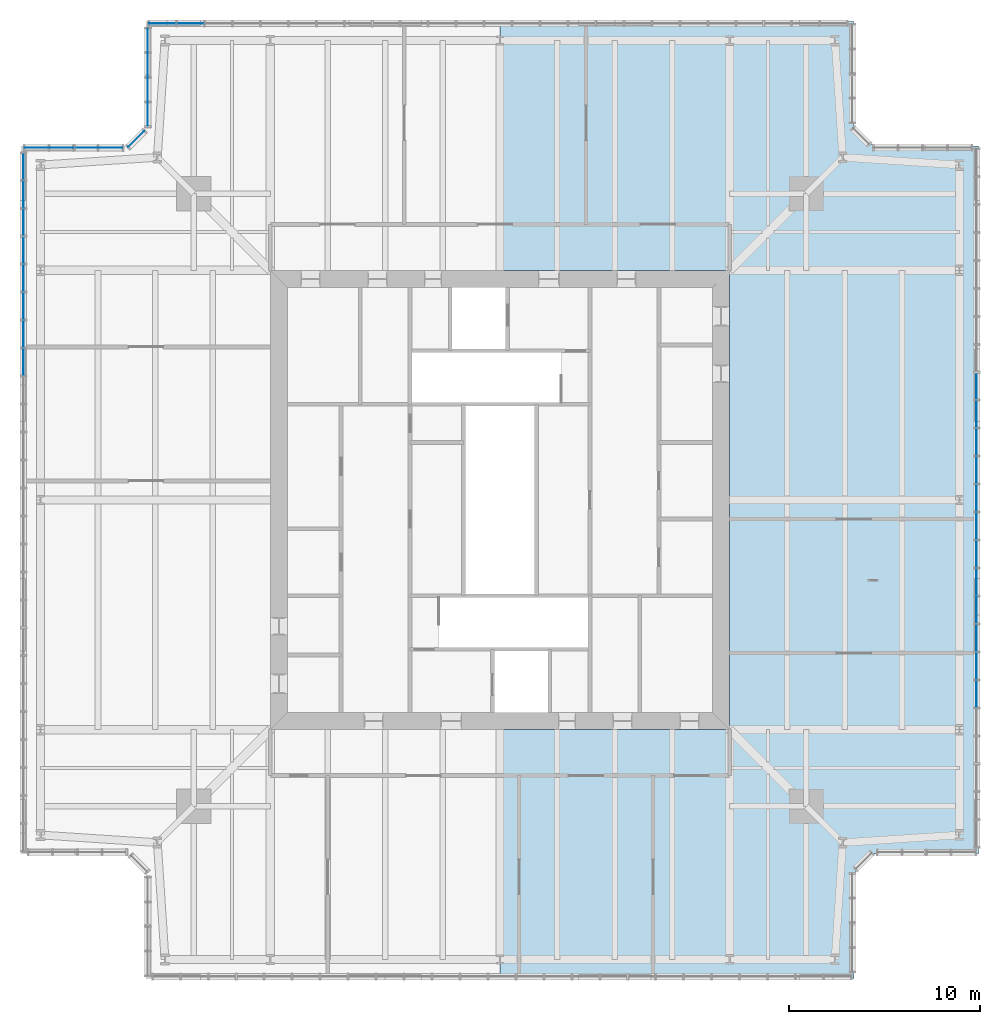
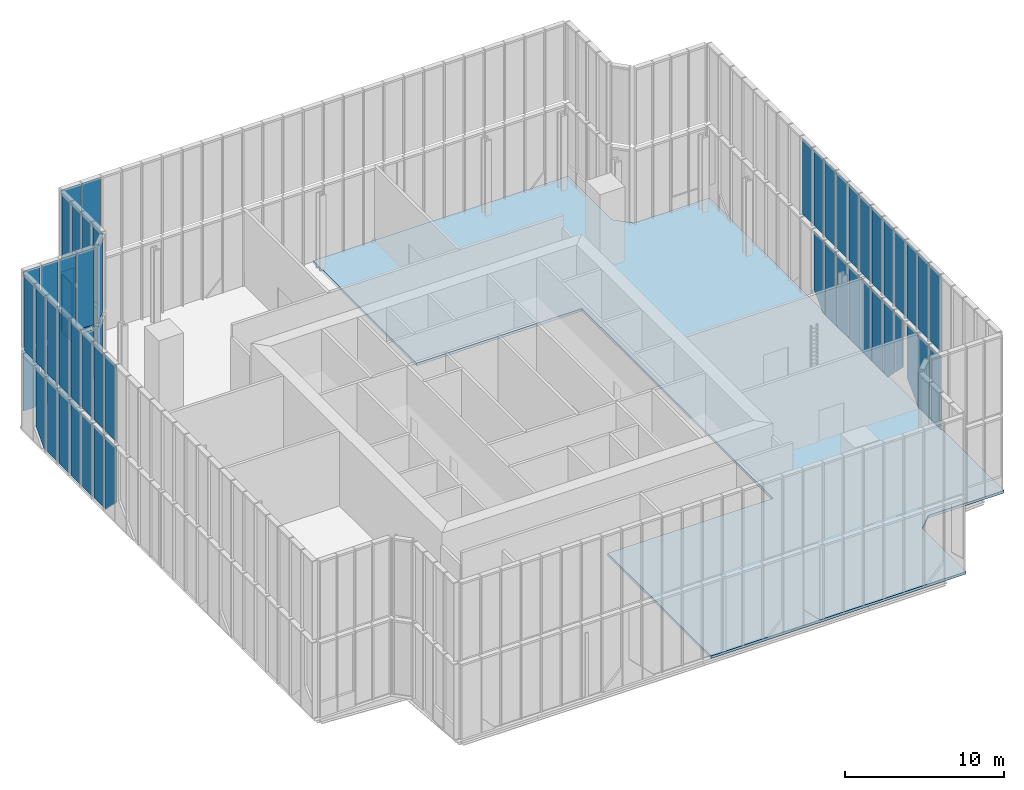
# One storey, part 15 of 25: 60 plates, 1 slab, 12 elements without a shape of their own.
"""IFC4 building model written with IfcOpenShell, lengths in metres."""

from ifc_helpers import new_model, si_unit, direction, frame, origin, origin_2d, place, context, subcontext, project, spatial, polyline, rectangle, outline, extrude, material, layer, layer_set, type_object, element, aggregate, save


model = new_model("IFC4")

# Units and contexts
model_context = context("Model", 3, precision=1e-05, world=origin(), true_north=direction((0.0, 1.0)))
body_context = subcontext(model_context, "Body", "Model", "MODEL_VIEW")
ifc_project = project(units=[si_unit("LENGTHUNIT", "METRE"), si_unit("AREAUNIT", "SQUARE_METRE"), si_unit("VOLUMEUNIT", "CUBIC_METRE"), si_unit("PLANEANGLEUNIT", "RADIAN"), si_unit("MASSUNIT", "GRAM", prefix="KILO")], contexts=[model_context])

# Site, building, storey
site_placement = place(None, origin())
site = spatial("IfcSite", under=ifc_project, at=site_placement, CompositionType="ELEMENT")
building_placement = place(site_placement, origin())
building = spatial("IfcBuilding", under=site, at=building_placement, Name="Fenwick Lantern Interchange", CompositionType="ELEMENT")
storey_placement = place(building_placement, frame((0.0, 0.0, 307.800048828125)))
storey = spatial("IfcBuildingStorey", under=building, at=storey_placement, Name="L74", CompositionType="ELEMENT", Elevation=307.800048828125)

# Slab
ifc_material_1 = material(Name="Concrete f'c 35 MPa", Category="concrete")
ifc_layer_1 = layer(ifc_material_1, 0.199951171875)
ifc_layer_set_1 = layer_set([ifc_layer_1], Name="Concrete f'c 35 MPa")
slab_type = type_object("IfcSlabType", Name="FLOOR SLAB 200", PredefinedType="FLOOR", material=ifc_layer_set_1)
slab_placement = place(storey_placement, frame((0.0, 0.0, -0.199951171875)))
element("IfcSlab", 1, at=slab_placement, inside=storey, type_object=slab_type, Name="L74/SLAB/FE", PredefinedType="FLOOR", context=body_context, shape_type="SweptSolid", body=[
    extrude(outline(polyline([(43.5, 50.0), (43.5, 44.5), (44.5, 43.5), (50.0, 43.5), (50.0, 6.5), (44.5, 6.5), (43.5, 5.5), (43.5, 0.0), (25.0, 0.0), (25.0, 13.0), (37.0, 13.0), (37.0, 37.0), (25.0, 37.0), (25.0, 50.0), (43.5, 50.0)])), origin(), (0.0, 0.0, 1.0), 0.199951171875),
])

# Curtain wall, plates
ifc_material_2 = material(Name="Aluminium curtain wall frame", Category="aluminium")
curtain_wall_type = type_object("IfcCurtainWallType", Name="LANTERN GLAZING", PredefinedType="USERDEFINED", material=ifc_material_2)
curtain_wall_1_placement = place(storey_placement, origin())
curtain_wall_1 = element("IfcCurtainWall", 2, at=curtain_wall_1_placement, inside=storey, type_object=curtain_wall_type, Name="Lantern glazing 05", ObjectType="LANTERN GLAZING", PredefinedType="USERDEFINED")
ifc_material_3 = material(Name="Lantern glass, fritted laminated single glazing", Category="glass")
ifc_layer_2 = layer(ifc_material_3, 0.02197265625)
ifc_layer_set_2 = layer_set([ifc_layer_2], Name="LANTERN GLAZING PANEL 22")
plate_type = type_object("IfcPlateType", Name="LANTERN GLAZING PANEL 22", PredefinedType="CURTAIN_PANEL", material=ifc_layer_set_2)
plate_1_placement = place(storey_placement, frame((49.89990234375, 14.87451171875, 0.0), z_axis=(0.0, 0.0, 1.0), x_axis=(0.0, 1.0, 0.0)))
plate_1 = element("IfcPlate", 3, at=plate_1_placement, type_object=plate_type, Name="L74/CW/05/P05", PredefinedType="CURTAIN_PANEL", context=body_context, shape_type="SweptSolid", body=[
    extrude(rectangle(XDim=1.380859375, YDim=0.02197265625, at=origin_2d()), origin(), (0.0, 0.0, 1.0), 5.610107421875),
])
plate_2_placement = place(storey_placement, frame((49.89990234375, 16.335205078125, 0.0), z_axis=(0.0, 0.0, 1.0), x_axis=(0.0, 1.0, 0.0)))
plate_2 = element("IfcPlate", 4, at=plate_2_placement, type_object=plate_type, Name="L74/CW/05/P06", PredefinedType="CURTAIN_PANEL", context=body_context, shape_type="SweptSolid", body=[
    extrude(rectangle(XDim=1.380859375, YDim=0.02197265625, at=origin_2d()), origin(), (0.0, 0.0, 1.0), 5.610107421875),
])
plate_3_placement = place(storey_placement, frame((49.89990234375, 6.60009765625, 0.001220703125), z_axis=(0.0, 0.0, 1.0), x_axis=(0.0, 1.0, 0.0)))
plate_3 = element("IfcPlate", 5, at=plate_3_placement, type_object=plate_type, Name="L74/CW/05/P07a", PredefinedType="CURTAIN_PANEL", context=body_context, shape_type="SweptSolid", body=[
    extrude(outline(polyline([(10.505615234375, 0.0), (11.886474609375, 1.380615234375), (11.886474609375, 5.608642578125), (10.505615234375, 5.608642578125), (10.505615234375, 0.0)])), frame((0.0, 0.010986328125, 0.0), z_axis=(0.0, -1.0, 0.0), x_axis=(1.0, 0.0, 0.0)), (0.0, 0.0, 1.0), 0.02197265625),
])
plate_4_placement = place(storey_placement, frame((49.89990234375, 6.60009765625, 0.9482421875), z_axis=(0.0, 0.0, 1.0), x_axis=(0.0, 1.0, 0.0)))
plate_4 = element("IfcPlate", 6, at=plate_4_placement, type_object=plate_type, Name="L74/CW/05/P08a", PredefinedType="CURTAIN_PANEL", context=body_context, shape_type="SweptSolid", body=[
    extrude(outline(polyline([(13.34716796875, 0.0), (13.34716796875, 4.66162109375), (12.39990234375, 4.66162109375), (12.39990234375, 0.947265625), (13.34716796875, 0.0)])), frame((0.0, 0.010986328125, 0.0), z_axis=(0.0, -1.0, 0.0), x_axis=(1.0, 0.0, 0.0)), (0.0, 0.0, 1.0), 0.02197265625),
])
plate_5_placement = place(storey_placement, frame((49.89990234375, 6.60009765625, 0.0), z_axis=(0.0, 0.0, 1.0), x_axis=(0.0, 1.0, 0.0)))
plate_5 = element("IfcPlate", 7, at=plate_5_placement, type_object=plate_type, Name="L74/CW/05/P09a", PredefinedType="CURTAIN_PANEL", context=body_context, shape_type="SweptSolid", body=[
    extrude(outline(polyline([(14.295654296875, 0.0), (14.80810546875, 0.0), (14.80810546875, 5.60986328125), (13.42724609375, 5.60986328125), (13.42724609375, 0.868408203125), (14.295654296875, 0.0)])), frame((0.0, 0.010986328125, 0.0), z_axis=(0.0, -1.0, 0.0), x_axis=(1.0, 0.0, 0.0)), (0.0, 0.0, 1.0), 0.02197265625),
])
plate_6_placement = place(storey_placement, frame((49.89990234375, 22.178466796875, 0.0), z_axis=(0.0, 0.0, 1.0), x_axis=(0.0, 1.0, 0.0)))
plate_6 = element("IfcPlate", 8, at=plate_6_placement, type_object=plate_type, Name="L74/CW/05/P10", PredefinedType="CURTAIN_PANEL", context=body_context, shape_type="SweptSolid", body=[
    extrude(rectangle(XDim=1.380859375, YDim=0.02197265625, at=origin_2d()), origin(), (0.0, 0.0, 1.0), 5.610107421875),
])
plate_7_placement = place(storey_placement, frame((49.89990234375, 23.63916015625, 0.0), z_axis=(0.0, 0.0, 1.0), x_axis=(0.0, 1.0, 0.0)))
plate_7 = element("IfcPlate", 9, at=plate_7_placement, type_object=plate_type, Name="L74/CW/05/P11", PredefinedType="CURTAIN_PANEL", context=body_context, shape_type="SweptSolid", body=[
    extrude(rectangle(XDim=1.380859375, YDim=0.02197265625, at=origin_2d()), origin(), (0.0, 0.0, 1.0), 5.610107421875),
])
plate_8_placement = place(storey_placement, frame((49.89990234375, 25.10009765625, 0.0), z_axis=(0.0, 0.0, 1.0), x_axis=(0.0, 1.0, 0.0)))
plate_8 = element("IfcPlate", 10, at=plate_8_placement, type_object=plate_type, Name="L74/CW/05/P12", PredefinedType="CURTAIN_PANEL", context=body_context, shape_type="SweptSolid", body=[
    extrude(rectangle(XDim=1.380859375, YDim=0.02197265625, at=origin_2d()), origin(), (0.0, 0.0, 1.0), 5.610107421875),
])
plate_9_placement = place(storey_placement, frame((49.89990234375, 26.560791015625, 0.0), z_axis=(0.0, 0.0, 1.0), x_axis=(0.0, 1.0, 0.0)))
plate_9 = element("IfcPlate", 11, at=plate_9_placement, type_object=plate_type, Name="L74/CW/05/P13", PredefinedType="CURTAIN_PANEL", context=body_context, shape_type="SweptSolid", body=[
    extrude(rectangle(XDim=1.380859375, YDim=0.02197265625, at=origin_2d()), origin(), (0.0, 0.0, 1.0), 5.610107421875),
])
plate_10_placement = place(storey_placement, frame((49.89990234375, 28.021484375, 0.0), z_axis=(0.0, 0.0, 1.0), x_axis=(0.0, 1.0, 0.0)))
plate_10 = element("IfcPlate", 12, at=plate_10_placement, type_object=plate_type, Name="L74/CW/05/P14", PredefinedType="CURTAIN_PANEL", context=body_context, shape_type="SweptSolid", body=[
    extrude(rectangle(XDim=1.380859375, YDim=0.02197265625, at=origin_2d()), origin(), (0.0, 0.0, 1.0), 5.610107421875),
])
plate_11_placement = place(storey_placement, frame((49.89990234375, 6.60009765625, 0.0), z_axis=(0.0, 0.0, 1.0), x_axis=(0.0, 1.0, 0.0)))
plate_11 = element("IfcPlate", 13, at=plate_11_placement, type_object=plate_type, Name="L74/CW/05/P15a", PredefinedType="CURTAIN_PANEL", context=body_context, shape_type="SweptSolid", body=[
    extrude(outline(polyline([(22.19189453125, 0.0), (22.50439453125, 0.0), (23.57275390625, 1.068359375), (23.57275390625, 5.60986328125), (22.19189453125, 5.60986328125), (22.19189453125, 0.0)])), frame((0.0, 0.010986328125, 0.0), z_axis=(0.0, -1.0, 0.0), x_axis=(1.0, 0.0, 0.0)), (0.0, 0.0, 1.0), 0.02197265625),
])
aggregate(curtain_wall_1, [plate_1, plate_2, plate_3, plate_4, plate_5, plate_6, plate_7, plate_8, plate_9, plate_10, plate_11])

curtain_wall_2_placement = place(storey_placement, origin())
curtain_wall_2 = element("IfcCurtainWall", 14, at=curtain_wall_2_placement, inside=storey, type_object=curtain_wall_type, Name="Lantern glazing 09", ObjectType="LANTERN GLAZING", PredefinedType="USERDEFINED")
plate_12_placement = place(storey_placement, frame((43.39990234375, 49.89990234375, 0.0), z_axis=(0.0, 0.0, 1.0), x_axis=(-1.0, 0.0, 0.0)))
plate_12 = element("IfcPlate", 15, at=plate_12_placement, type_object=plate_type, Name="L74/CW/09/P23a", PredefinedType="CURTAIN_PANEL", context=body_context, shape_type="SweptSolid", body=[
    extrude(outline(polyline([(33.87841796875, 0.0), (34.053955078125, 0.0), (35.25927734375, 1.314697265625), (35.25927734375, 5.60986328125), (33.87841796875, 5.60986328125), (33.87841796875, 0.0)])), frame((0.0, 0.010986328125, 0.0), z_axis=(0.0, -1.0, 0.0), x_axis=(1.0, 0.0, 0.0)), (0.0, 0.0, 1.0), 0.02197265625),
])
plate_13_placement = place(storey_placement, frame((43.39990234375, 49.89990234375, 1.0400390625), z_axis=(0.0, 0.0, 1.0), x_axis=(-1.0, 0.0, 0.0)))
plate_13 = element("IfcPlate", 16, at=plate_13_placement, type_object=plate_type, Name="L74/CW/09/P24a", PredefinedType="CURTAIN_PANEL", context=body_context, shape_type="SweptSolid", body=[
    extrude(outline(polyline([(36.719970703125, 0.0), (36.719970703125, 4.56982421875), (35.789306640625, 4.56982421875), (35.789306640625, 0.85302734375), (36.719970703125, 0.0)])), frame((0.0, 0.010986328125, 0.0), z_axis=(0.0, -1.0, 0.0), x_axis=(1.0, 0.0, 0.0)), (0.0, 0.0, 1.0), 0.02197265625),
])
aggregate(curtain_wall_2, [plate_12, plate_13])

curtain_wall_3_placement = place(storey_placement, origin())
curtain_wall_3 = element("IfcCurtainWall", 17, at=curtain_wall_3_placement, inside=storey, type_object=curtain_wall_type, Name="Lantern glazing 10", ObjectType="LANTERN GLAZING", PredefinedType="USERDEFINED")
plate_14_placement = place(storey_placement, frame((6.60009765625, 49.89990234375, 1.14990234375), z_axis=(0.0, 0.0, 1.0), x_axis=(0.0, -1.0, 0.0)))
plate_14 = element("IfcPlate", 18, at=plate_14_placement, type_object=plate_type, Name="L74/CW/10/P00a", PredefinedType="CURTAIN_PANEL", context=body_context, shape_type="SweptSolid", body=[
    extrude(outline(polyline([(0.280029296875, 0.0), (1.490234375, 0.0), (1.490234375, 4.4599609375), (0.280029296875, 4.4599609375), (0.280029296875, 0.0)])), frame((0.0, 0.010986328125, 0.0), z_axis=(0.0, -1.0, 0.0), x_axis=(1.0, 0.0, 0.0)), (0.0, 0.0, 1.0), 0.02197265625),
])
plate_15_placement = place(storey_placement, frame((6.60009765625, 49.89990234375, 1.14990234375), z_axis=(0.0, 0.0, 1.0), x_axis=(0.0, -1.0, 0.0)))
plate_15 = element("IfcPlate", 19, at=plate_15_placement, type_object=plate_type, Name="L74/CW/10/P01a", PredefinedType="CURTAIN_PANEL", context=body_context, shape_type="SweptSolid", body=[
    extrude(outline(polyline([(1.5703125, 0.0), (2.699951171875, 0.0), (2.699951171875, 4.4599609375), (1.5703125, 4.4599609375), (1.5703125, 0.0)])), frame((0.0, 0.010986328125, 0.0), z_axis=(0.0, -1.0, 0.0), x_axis=(1.0, 0.0, 0.0)), (0.0, 0.0, 1.0), 0.02197265625),
])
plate_16_placement = place(storey_placement, frame((6.60009765625, 46.43408203125, 0.0), z_axis=(0.0, 0.0, 1.0), x_axis=(0.0, -1.0, 0.0)))
plate_16 = element("IfcPlate", 20, at=plate_16_placement, type_object=plate_type, Name="L74/CW/10/P02", PredefinedType="CURTAIN_PANEL", context=body_context, shape_type="SweptSolid", body=[
    extrude(rectangle(XDim=1.21044921875, YDim=0.02197265625, at=origin_2d()), origin(), (0.0, 0.0, 1.0), 5.610107421875),
])
plate_17_placement = place(storey_placement, frame((6.60009765625, 45.143798828125, 0.0), z_axis=(0.0, 0.0, 1.0), x_axis=(0.0, -1.0, 0.0)))
plate_17 = element("IfcPlate", 21, at=plate_17_placement, type_object=plate_type, Name="L74/CW/10/P03", PredefinedType="CURTAIN_PANEL", context=body_context, shape_type="SweptSolid", body=[
    extrude(rectangle(XDim=1.21044921875, YDim=0.02197265625, at=origin_2d()), origin(), (0.0, 0.0, 1.0), 5.610107421875),
])
aggregate(curtain_wall_3, [plate_14, plate_15, plate_16, plate_17])

# Curtain wall, plate
curtain_wall_4_placement = place(storey_placement, origin())
curtain_wall_4 = element("IfcCurtainWall", 22, at=curtain_wall_4_placement, inside=storey, type_object=curtain_wall_type, Name="Lantern glazing 11", ObjectType="LANTERN GLAZING", PredefinedType="USERDEFINED")
plate_18_placement = place(storey_placement, frame((6.0, 43.858642578125, 0.0), z_axis=(0.0, 0.0, 1.0), x_axis=(-0.707106781187, -0.707106781187, 0.0)))
plate_18 = element("IfcPlate", 23, at=plate_18_placement, type_object=plate_type, Name="L74/CW/11/P00", PredefinedType="CURTAIN_PANEL", context=body_context, shape_type="SweptSolid", body=[
    extrude(rectangle(XDim=1.136962890625, YDim=0.02197265625, at=origin_2d()), origin(), (0.0, 0.0, 1.0), 5.610107421875),
])
aggregate(curtain_wall_4, [plate_18])

# Curtain wall, plates
curtain_wall_5_placement = place(storey_placement, origin())
curtain_wall_5 = element("IfcCurtainWall", 24, at=curtain_wall_5_placement, inside=storey, type_object=curtain_wall_type, Name="Lantern glazing 12", ObjectType="LANTERN GLAZING", PredefinedType="USERDEFINED")
plate_19_placement = place(storey_placement, frame((4.65625, 43.39990234375, 0.0), z_axis=(0.0, 0.0, 1.0), x_axis=(-1.0, 0.0, 0.0)))
plate_19 = element("IfcPlate", 25, at=plate_19_placement, type_object=plate_type, Name="L74/CW/12/P00", PredefinedType="CURTAIN_PANEL", context=body_context, shape_type="SweptSolid", body=[
    extrude(rectangle(XDim=1.21044921875, YDim=0.02197265625, at=origin_2d()), origin(), (0.0, 0.0, 1.0), 5.610107421875),
])
plate_20_placement = place(storey_placement, frame((5.54150390625, 43.39990234375, 0.0), z_axis=(0.0, 0.0, 1.0), x_axis=(-1.0, 0.0, 0.0)))
plate_20 = element("IfcPlate", 26, at=plate_20_placement, type_object=plate_type, Name="L74/CW/12/P01a", PredefinedType="CURTAIN_PANEL", context=body_context, shape_type="SweptSolid", body=[
    extrude(outline(polyline([(1.5703125, 0.0), (2.741455078125, 0.0), (2.741455078125, 5.60986328125), (1.5703125, 5.60986328125), (1.5703125, 0.0)])), frame((0.0, 0.010986328125, 0.0), z_axis=(0.0, -1.0, 0.0), x_axis=(1.0, 0.0, 0.0)), (0.0, 0.0, 1.0), 0.02197265625),
])
plate_21_placement = place(storey_placement, frame((5.54150390625, 43.39990234375, 1.14990234375), z_axis=(0.0, 0.0, 1.0), x_axis=(-1.0, 0.0, 0.0)))
plate_21 = element("IfcPlate", 27, at=plate_21_placement, type_object=plate_type, Name="L74/CW/12/P02a", PredefinedType="CURTAIN_PANEL", context=body_context, shape_type="SweptSolid", body=[
    extrude(outline(polyline([(2.860595703125, 0.0), (4.071044921875, 0.0), (4.071044921875, 4.4599609375), (2.860595703125, 4.4599609375), (2.860595703125, 0.0)])), frame((0.0, 0.010986328125, 0.0), z_axis=(0.0, -1.0, 0.0), x_axis=(1.0, 0.0, 0.0)), (0.0, 0.0, 1.0), 0.02197265625),
])
plate_22_placement = place(storey_placement, frame((5.54150390625, 43.39990234375, 1.14990234375), z_axis=(0.0, 0.0, 1.0), x_axis=(-1.0, 0.0, 0.0)))
plate_22 = element("IfcPlate", 28, at=plate_22_placement, type_object=plate_type, Name="L74/CW/12/P03a", PredefinedType="CURTAIN_PANEL", context=body_context, shape_type="SweptSolid", body=[
    extrude(outline(polyline([(4.151123046875, 0.0), (5.361328125, 0.0), (5.361328125, 4.4599609375), (4.151123046875, 4.4599609375), (4.151123046875, 0.0)])), frame((0.0, 0.010986328125, 0.0), z_axis=(0.0, -1.0, 0.0), x_axis=(1.0, 0.0, 0.0)), (0.0, 0.0, 1.0), 0.02197265625),
])
aggregate(curtain_wall_5, [plate_19, plate_20, plate_21, plate_22])

curtain_wall_6_placement = place(storey_placement, origin())
curtain_wall_6 = element("IfcCurtainWall", 29, at=curtain_wall_6_placement, inside=storey, type_object=curtain_wall_type, Name="Lantern glazing 13", ObjectType="LANTERN GLAZING", PredefinedType="USERDEFINED")
plate_23_placement = place(storey_placement, frame((0.10009765625, 43.39990234375, 0.0), z_axis=(0.0, 0.0, 1.0), x_axis=(0.0, -1.0, 0.0)))
plate_23 = element("IfcPlate", 30, at=plate_23_placement, type_object=plate_type, Name="L74/CW/13/P01a", PredefinedType="CURTAIN_PANEL", context=body_context, shape_type="SweptSolid", body=[
    extrude(outline(polyline([(2.74609375, 0.0), (3.12158203125, 0.0), (3.12158203125, 5.60986328125), (1.74072265625, 5.60986328125), (1.74072265625, 1.096435546875), (2.74609375, 0.0)])), frame((0.0, 0.010986328125, 0.0), z_axis=(0.0, -1.0, 0.0), x_axis=(1.0, 0.0, 0.0)), (0.0, 0.0, 1.0), 0.02197265625),
])
plate_24_placement = place(storey_placement, frame((0.10009765625, 39.508056640625, 0.0), z_axis=(0.0, 0.0, 1.0), x_axis=(0.0, -1.0, 0.0)))
plate_24 = element("IfcPlate", 31, at=plate_24_placement, type_object=plate_type, Name="L74/CW/13/P02", PredefinedType="CURTAIN_PANEL", context=body_context, shape_type="SweptSolid", body=[
    extrude(rectangle(XDim=1.380859375, YDim=0.02197265625, at=origin_2d()), origin(), (0.0, 0.0, 1.0), 5.610107421875),
])
plate_25_placement = place(storey_placement, frame((0.10009765625, 38.047119140625, 0.0), z_axis=(0.0, 0.0, 1.0), x_axis=(0.0, -1.0, 0.0)))
plate_25 = element("IfcPlate", 32, at=plate_25_placement, type_object=plate_type, Name="L74/CW/13/P03", PredefinedType="CURTAIN_PANEL", context=body_context, shape_type="SweptSolid", body=[
    extrude(rectangle(XDim=1.380859375, YDim=0.02197265625, at=origin_2d()), origin(), (0.0, 0.0, 1.0), 5.610107421875),
])
plate_26_placement = place(storey_placement, frame((0.10009765625, 36.58642578125, 0.0), z_axis=(0.0, 0.0, 1.0), x_axis=(0.0, -1.0, 0.0)))
plate_26 = element("IfcPlate", 33, at=plate_26_placement, type_object=plate_type, Name="L74/CW/13/P04", PredefinedType="CURTAIN_PANEL", context=body_context, shape_type="SweptSolid", body=[
    extrude(rectangle(XDim=1.380859375, YDim=0.02197265625, at=origin_2d()), origin(), (0.0, 0.0, 1.0), 5.610107421875),
])
plate_27_placement = place(storey_placement, frame((0.10009765625, 35.12548828125, 0.0), z_axis=(0.0, 0.0, 1.0), x_axis=(0.0, -1.0, 0.0)))
plate_27 = element("IfcPlate", 34, at=plate_27_placement, type_object=plate_type, Name="L74/CW/13/P05", PredefinedType="CURTAIN_PANEL", context=body_context, shape_type="SweptSolid", body=[
    extrude(rectangle(XDim=1.380859375, YDim=0.02197265625, at=origin_2d()), origin(), (0.0, 0.0, 1.0), 5.610107421875),
])
plate_28_placement = place(storey_placement, frame((0.10009765625, 33.664794921875, 0.0), z_axis=(0.0, 0.0, 1.0), x_axis=(0.0, -1.0, 0.0)))
plate_28 = element("IfcPlate", 35, at=plate_28_placement, type_object=plate_type, Name="L74/CW/13/P06", PredefinedType="CURTAIN_PANEL", context=body_context, shape_type="SweptSolid", body=[
    extrude(rectangle(XDim=1.380859375, YDim=0.02197265625, at=origin_2d()), origin(), (0.0, 0.0, 1.0), 5.610107421875),
])
plate_29_placement = place(storey_placement, frame((0.10009765625, 43.39990234375, 0.001220703125), z_axis=(0.0, 0.0, 1.0), x_axis=(0.0, -1.0, 0.0)))
plate_29 = element("IfcPlate", 36, at=plate_29_placement, type_object=plate_type, Name="L74/CW/13/P07a", PredefinedType="CURTAIN_PANEL", context=body_context, shape_type="SweptSolid", body=[
    extrude(outline(polyline([(10.505615234375, 0.0), (11.886474609375, 1.380615234375), (11.886474609375, 5.608642578125), (10.505615234375, 5.608642578125), (10.505615234375, 0.0)])), frame((0.0, 0.010986328125, 0.0), z_axis=(0.0, -1.0, 0.0), x_axis=(1.0, 0.0, 0.0)), (0.0, 0.0, 1.0), 0.02197265625),
])
aggregate(curtain_wall_6, [plate_23, plate_24, plate_25, plate_26, plate_27, plate_28, plate_29])

curtain_wall_7_placement = place(storey_placement, origin())
curtain_wall_7 = element("IfcCurtainWall", 37, at=curtain_wall_7_placement, inside=storey, type_object=curtain_wall_type, Name="Lantern glazing 05", ObjectType="LANTERN GLAZING", PredefinedType="USERDEFINED")
plate_30_placement = place(storey_placement, frame((49.89990234375, 14.87451171875, 6.0), z_axis=(0.0, 0.0, 1.0), x_axis=(0.0, 1.0, 0.0)))
plate_30 = element("IfcPlate", 38, at=plate_30_placement, type_object=plate_type, Name="RF/LANTERN/05/P05", PredefinedType="CURTAIN_PANEL", context=body_context, shape_type="SweptSolid", body=[
    extrude(rectangle(XDim=1.380859375, YDim=0.02197265625, at=origin_2d()), origin(), (0.0, 0.0, 1.0), 5.860107421875),
])
plate_31_placement = place(storey_placement, frame((49.89990234375, 16.335205078125, 6.0), z_axis=(0.0, 0.0, 1.0), x_axis=(0.0, 1.0, 0.0)))
plate_31 = element("IfcPlate", 39, at=plate_31_placement, type_object=plate_type, Name="RF/LANTERN/05/P06", PredefinedType="CURTAIN_PANEL", context=body_context, shape_type="SweptSolid", body=[
    extrude(rectangle(XDim=1.380859375, YDim=0.02197265625, at=origin_2d()), origin(), (0.0, 0.0, 1.0), 5.860107421875),
])
plate_32_placement = place(storey_placement, frame((49.89990234375, 17.7958984375, 6.0), z_axis=(0.0, 0.0, 1.0), x_axis=(0.0, 1.0, 0.0)))
plate_32 = element("IfcPlate", 40, at=plate_32_placement, type_object=plate_type, Name="RF/LANTERN/05/P07", PredefinedType="CURTAIN_PANEL", context=body_context, shape_type="SweptSolid", body=[
    extrude(rectangle(XDim=1.380859375, YDim=0.02197265625, at=origin_2d()), origin(), (0.0, 0.0, 1.0), 5.860107421875),
])
plate_33_placement = place(storey_placement, frame((49.89990234375, 19.2568359375, 6.0), z_axis=(0.0, 0.0, 1.0), x_axis=(0.0, 1.0, 0.0)))
plate_33 = element("IfcPlate", 41, at=plate_33_placement, type_object=plate_type, Name="RF/LANTERN/05/P08", PredefinedType="CURTAIN_PANEL", context=body_context, shape_type="SweptSolid", body=[
    extrude(rectangle(XDim=1.380859375, YDim=0.02197265625, at=origin_2d()), origin(), (0.0, 0.0, 1.0), 5.860107421875),
])
plate_34_placement = place(storey_placement, frame((49.89990234375, 20.717529296875, 6.0), z_axis=(0.0, 0.0, 1.0), x_axis=(0.0, 1.0, 0.0)))
plate_34 = element("IfcPlate", 42, at=plate_34_placement, type_object=plate_type, Name="RF/LANTERN/05/P09", PredefinedType="CURTAIN_PANEL", context=body_context, shape_type="SweptSolid", body=[
    extrude(rectangle(XDim=1.380859375, YDim=0.02197265625, at=origin_2d()), origin(), (0.0, 0.0, 1.0), 5.860107421875),
])
plate_35_placement = place(storey_placement, frame((49.89990234375, 22.178466796875, 6.0), z_axis=(0.0, 0.0, 1.0), x_axis=(0.0, 1.0, 0.0)))
plate_35 = element("IfcPlate", 43, at=plate_35_placement, type_object=plate_type, Name="RF/LANTERN/05/P10", PredefinedType="CURTAIN_PANEL", context=body_context, shape_type="SweptSolid", body=[
    extrude(rectangle(XDim=1.380859375, YDim=0.02197265625, at=origin_2d()), origin(), (0.0, 0.0, 1.0), 5.860107421875),
])
plate_36_placement = place(storey_placement, frame((49.89990234375, 23.63916015625, 6.0), z_axis=(0.0, 0.0, 1.0), x_axis=(0.0, 1.0, 0.0)))
plate_36 = element("IfcPlate", 44, at=plate_36_placement, type_object=plate_type, Name="RF/LANTERN/05/P11", PredefinedType="CURTAIN_PANEL", context=body_context, shape_type="SweptSolid", body=[
    extrude(rectangle(XDim=1.380859375, YDim=0.02197265625, at=origin_2d()), origin(), (0.0, 0.0, 1.0), 5.860107421875),
])
plate_37_placement = place(storey_placement, frame((49.89990234375, 25.10009765625, 6.0), z_axis=(0.0, 0.0, 1.0), x_axis=(0.0, 1.0, 0.0)))
plate_37 = element("IfcPlate", 45, at=plate_37_placement, type_object=plate_type, Name="RF/LANTERN/05/P12", PredefinedType="CURTAIN_PANEL", context=body_context, shape_type="SweptSolid", body=[
    extrude(rectangle(XDim=1.380859375, YDim=0.02197265625, at=origin_2d()), origin(), (0.0, 0.0, 1.0), 5.860107421875),
])
plate_38_placement = place(storey_placement, frame((49.89990234375, 26.560791015625, 6.0), z_axis=(0.0, 0.0, 1.0), x_axis=(0.0, 1.0, 0.0)))
plate_38 = element("IfcPlate", 46, at=plate_38_placement, type_object=plate_type, Name="RF/LANTERN/05/P13", PredefinedType="CURTAIN_PANEL", context=body_context, shape_type="SweptSolid", body=[
    extrude(rectangle(XDim=1.380859375, YDim=0.02197265625, at=origin_2d()), origin(), (0.0, 0.0, 1.0), 5.860107421875),
])
plate_39_placement = place(storey_placement, frame((49.89990234375, 28.021484375, 6.0), z_axis=(0.0, 0.0, 1.0), x_axis=(0.0, 1.0, 0.0)))
plate_39 = element("IfcPlate", 47, at=plate_39_placement, type_object=plate_type, Name="RF/LANTERN/05/P14", PredefinedType="CURTAIN_PANEL", context=body_context, shape_type="SweptSolid", body=[
    extrude(rectangle(XDim=1.380859375, YDim=0.02197265625, at=origin_2d()), origin(), (0.0, 0.0, 1.0), 5.860107421875),
])
plate_40_placement = place(storey_placement, frame((49.89990234375, 29.482421875, 6.0), z_axis=(0.0, 0.0, 1.0), x_axis=(0.0, 1.0, 0.0)))
plate_40 = element("IfcPlate", 48, at=plate_40_placement, type_object=plate_type, Name="RF/LANTERN/05/P15", PredefinedType="CURTAIN_PANEL", context=body_context, shape_type="SweptSolid", body=[
    extrude(rectangle(XDim=1.380859375, YDim=0.02197265625, at=origin_2d()), origin(), (0.0, 0.0, 1.0), 5.860107421875),
])
plate_41_placement = place(storey_placement, frame((49.89990234375, 30.943115234375, 6.0), z_axis=(0.0, 0.0, 1.0), x_axis=(0.0, 1.0, 0.0)))
plate_41 = element("IfcPlate", 49, at=plate_41_placement, type_object=plate_type, Name="RF/LANTERN/05/P16", PredefinedType="CURTAIN_PANEL", context=body_context, shape_type="SweptSolid", body=[
    extrude(rectangle(XDim=1.380859375, YDim=0.02197265625, at=origin_2d()), origin(), (0.0, 0.0, 1.0), 5.860107421875),
])
aggregate(curtain_wall_7, [plate_30, plate_31, plate_32, plate_33, plate_34, plate_35, plate_36, plate_37, plate_38, plate_39, plate_40, plate_41])

curtain_wall_8_placement = place(storey_placement, origin())
curtain_wall_8 = element("IfcCurtainWall", 50, at=curtain_wall_8_placement, inside=storey, type_object=curtain_wall_type, Name="Lantern glazing 09", ObjectType="LANTERN GLAZING", PredefinedType="USERDEFINED")
plate_42_placement = place(storey_placement, frame((8.831298828125, 49.89990234375, 6.0), z_axis=(0.0, 0.0, 1.0), x_axis=(-1.0, 0.0, 0.0)))
plate_42 = element("IfcPlate", 51, at=plate_42_placement, type_object=plate_type, Name="RF/LANTERN/09/P23", PredefinedType="CURTAIN_PANEL", context=body_context, shape_type="SweptSolid", body=[
    extrude(rectangle(XDim=1.380859375, YDim=0.02197265625, at=origin_2d()), origin(), (0.0, 0.0, 1.0), 5.860107421875),
])
plate_43_placement = place(storey_placement, frame((7.370361328125, 49.89990234375, 6.0), z_axis=(0.0, 0.0, 1.0), x_axis=(-1.0, 0.0, 0.0)))
plate_43 = element("IfcPlate", 52, at=plate_43_placement, type_object=plate_type, Name="RF/LANTERN/09/P24", PredefinedType="CURTAIN_PANEL", context=body_context, shape_type="SweptSolid", body=[
    extrude(rectangle(XDim=1.380859375, YDim=0.02197265625, at=origin_2d()), origin(), (0.0, 0.0, 1.0), 5.860107421875),
])
aggregate(curtain_wall_8, [plate_42, plate_43])

curtain_wall_9_placement = place(storey_placement, origin())
curtain_wall_9 = element("IfcCurtainWall", 53, at=curtain_wall_9_placement, inside=storey, type_object=curtain_wall_type, Name="Lantern glazing 10", ObjectType="LANTERN GLAZING", PredefinedType="USERDEFINED")
plate_44_placement = place(storey_placement, frame((6.60009765625, 49.014892578125, 6.0), z_axis=(0.0, 0.0, 1.0), x_axis=(0.0, -1.0, 0.0)))
plate_44 = element("IfcPlate", 54, at=plate_44_placement, type_object=plate_type, Name="RF/LANTERN/10/P00", PredefinedType="CURTAIN_PANEL", context=body_context, shape_type="SweptSolid", body=[
    extrude(rectangle(XDim=1.21044921875, YDim=0.02197265625, at=origin_2d()), origin(), (0.0, 0.0, 1.0), 5.860107421875),
])
plate_45_placement = place(storey_placement, frame((6.60009765625, 47.724365234375, 6.0), z_axis=(0.0, 0.0, 1.0), x_axis=(0.0, -1.0, 0.0)))
plate_45 = element("IfcPlate", 55, at=plate_45_placement, type_object=plate_type, Name="RF/LANTERN/10/P01", PredefinedType="CURTAIN_PANEL", context=body_context, shape_type="SweptSolid", body=[
    extrude(rectangle(XDim=1.21044921875, YDim=0.02197265625, at=origin_2d()), origin(), (0.0, 0.0, 1.0), 5.860107421875),
])
plate_46_placement = place(storey_placement, frame((6.60009765625, 46.43408203125, 6.0), z_axis=(0.0, 0.0, 1.0), x_axis=(0.0, -1.0, 0.0)))
plate_46 = element("IfcPlate", 56, at=plate_46_placement, type_object=plate_type, Name="RF/LANTERN/10/P02", PredefinedType="CURTAIN_PANEL", context=body_context, shape_type="SweptSolid", body=[
    extrude(rectangle(XDim=1.21044921875, YDim=0.02197265625, at=origin_2d()), origin(), (0.0, 0.0, 1.0), 5.860107421875),
])
plate_47_placement = place(storey_placement, frame((6.60009765625, 45.143798828125, 6.0), z_axis=(0.0, 0.0, 1.0), x_axis=(0.0, -1.0, 0.0)))
plate_47 = element("IfcPlate", 57, at=plate_47_placement, type_object=plate_type, Name="RF/LANTERN/10/P03", PredefinedType="CURTAIN_PANEL", context=body_context, shape_type="SweptSolid", body=[
    extrude(rectangle(XDim=1.21044921875, YDim=0.02197265625, at=origin_2d()), origin(), (0.0, 0.0, 1.0), 5.860107421875),
])
aggregate(curtain_wall_9, [plate_44, plate_45, plate_46, plate_47])

# Curtain wall, plate
curtain_wall_10_placement = place(storey_placement, origin())
curtain_wall_10 = element("IfcCurtainWall", 58, at=curtain_wall_10_placement, inside=storey, type_object=curtain_wall_type, Name="Lantern glazing 11", ObjectType="LANTERN GLAZING", PredefinedType="USERDEFINED")
plate_48_placement = place(storey_placement, frame((6.0, 43.858642578125, 6.0), z_axis=(0.0, 0.0, 1.0), x_axis=(-0.707106781187, -0.707106781187, 0.0)))
plate_48 = element("IfcPlate", 59, at=plate_48_placement, type_object=plate_type, Name="RF/LANTERN/11/P00", PredefinedType="CURTAIN_PANEL", context=body_context, shape_type="SweptSolid", body=[
    extrude(rectangle(XDim=1.136962890625, YDim=0.02197265625, at=origin_2d()), origin(), (0.0, 0.0, 1.0), 5.860107421875),
])
aggregate(curtain_wall_10, [plate_48])

# Curtain wall, plates
curtain_wall_11_placement = place(storey_placement, origin())
curtain_wall_11 = element("IfcCurtainWall", 60, at=curtain_wall_11_placement, inside=storey, type_object=curtain_wall_type, Name="Lantern glazing 12", ObjectType="LANTERN GLAZING", PredefinedType="USERDEFINED")
plate_49_placement = place(storey_placement, frame((4.65625, 43.39990234375, 6.0), z_axis=(0.0, 0.0, 1.0), x_axis=(-1.0, 0.0, 0.0)))
plate_49 = element("IfcPlate", 61, at=plate_49_placement, type_object=plate_type, Name="RF/LANTERN/12/P00", PredefinedType="CURTAIN_PANEL", context=body_context, shape_type="SweptSolid", body=[
    extrude(rectangle(XDim=1.21044921875, YDim=0.02197265625, at=origin_2d()), origin(), (0.0, 0.0, 1.0), 5.860107421875),
])
plate_50_placement = place(storey_placement, frame((3.365966796875, 43.39990234375, 6.0), z_axis=(0.0, 0.0, 1.0), x_axis=(-1.0, 0.0, 0.0)))
plate_50 = element("IfcPlate", 62, at=plate_50_placement, type_object=plate_type, Name="RF/LANTERN/12/P01", PredefinedType="CURTAIN_PANEL", context=body_context, shape_type="SweptSolid", body=[
    extrude(rectangle(XDim=1.21044921875, YDim=0.02197265625, at=origin_2d()), origin(), (0.0, 0.0, 1.0), 5.860107421875),
])
plate_51_placement = place(storey_placement, frame((2.075439453125, 43.39990234375, 6.0), z_axis=(0.0, 0.0, 1.0), x_axis=(-1.0, 0.0, 0.0)))
plate_51 = element("IfcPlate", 63, at=plate_51_placement, type_object=plate_type, Name="RF/LANTERN/12/P02", PredefinedType="CURTAIN_PANEL", context=body_context, shape_type="SweptSolid", body=[
    extrude(rectangle(XDim=1.21044921875, YDim=0.02197265625, at=origin_2d()), origin(), (0.0, 0.0, 1.0), 5.860107421875),
])
plate_52_placement = place(storey_placement, frame((0.78515625, 43.39990234375, 6.0), z_axis=(0.0, 0.0, 1.0), x_axis=(-1.0, 0.0, 0.0)))
plate_52 = element("IfcPlate", 64, at=plate_52_placement, type_object=plate_type, Name="RF/LANTERN/12/P03", PredefinedType="CURTAIN_PANEL", context=body_context, shape_type="SweptSolid", body=[
    extrude(rectangle(XDim=1.21044921875, YDim=0.02197265625, at=origin_2d()), origin(), (0.0, 0.0, 1.0), 5.860107421875),
])
aggregate(curtain_wall_11, [plate_49, plate_50, plate_51, plate_52])

curtain_wall_12_placement = place(storey_placement, origin())
curtain_wall_12 = element("IfcCurtainWall", 65, at=curtain_wall_12_placement, inside=storey, type_object=curtain_wall_type, Name="Lantern glazing 13", ObjectType="LANTERN GLAZING", PredefinedType="USERDEFINED")
plate_53_placement = place(storey_placement, frame((0.10009765625, 42.4296875, 6.0), z_axis=(0.0, 0.0, 1.0), x_axis=(0.0, -1.0, 0.0)))
plate_53 = element("IfcPlate", 66, at=plate_53_placement, type_object=plate_type, Name="RF/LANTERN/13/P00", PredefinedType="CURTAIN_PANEL", context=body_context, shape_type="SweptSolid", body=[
    extrude(rectangle(XDim=1.380859375, YDim=0.02197265625, at=origin_2d()), origin(), (0.0, 0.0, 1.0), 5.860107421875),
])
plate_54_placement = place(storey_placement, frame((0.10009765625, 40.96875, 6.0), z_axis=(0.0, 0.0, 1.0), x_axis=(0.0, -1.0, 0.0)))
plate_54 = element("IfcPlate", 67, at=plate_54_placement, type_object=plate_type, Name="RF/LANTERN/13/P01", PredefinedType="CURTAIN_PANEL", context=body_context, shape_type="SweptSolid", body=[
    extrude(rectangle(XDim=1.380859375, YDim=0.02197265625, at=origin_2d()), origin(), (0.0, 0.0, 1.0), 5.860107421875),
])
plate_55_placement = place(storey_placement, frame((0.10009765625, 39.508056640625, 6.0), z_axis=(0.0, 0.0, 1.0), x_axis=(0.0, -1.0, 0.0)))
plate_55 = element("IfcPlate", 68, at=plate_55_placement, type_object=plate_type, Name="RF/LANTERN/13/P02", PredefinedType="CURTAIN_PANEL", context=body_context, shape_type="SweptSolid", body=[
    extrude(rectangle(XDim=1.380859375, YDim=0.02197265625, at=origin_2d()), origin(), (0.0, 0.0, 1.0), 5.860107421875),
])
plate_56_placement = place(storey_placement, frame((0.10009765625, 38.047119140625, 6.0), z_axis=(0.0, 0.0, 1.0), x_axis=(0.0, -1.0, 0.0)))
plate_56 = element("IfcPlate", 69, at=plate_56_placement, type_object=plate_type, Name="RF/LANTERN/13/P03", PredefinedType="CURTAIN_PANEL", context=body_context, shape_type="SweptSolid", body=[
    extrude(rectangle(XDim=1.380859375, YDim=0.02197265625, at=origin_2d()), origin(), (0.0, 0.0, 1.0), 5.860107421875),
])
plate_57_placement = place(storey_placement, frame((0.10009765625, 36.58642578125, 6.0), z_axis=(0.0, 0.0, 1.0), x_axis=(0.0, -1.0, 0.0)))
plate_57 = element("IfcPlate", 70, at=plate_57_placement, type_object=plate_type, Name="RF/LANTERN/13/P04", PredefinedType="CURTAIN_PANEL", context=body_context, shape_type="SweptSolid", body=[
    extrude(rectangle(XDim=1.380859375, YDim=0.02197265625, at=origin_2d()), origin(), (0.0, 0.0, 1.0), 5.860107421875),
])
plate_58_placement = place(storey_placement, frame((0.10009765625, 35.12548828125, 6.0), z_axis=(0.0, 0.0, 1.0), x_axis=(0.0, -1.0, 0.0)))
plate_58 = element("IfcPlate", 71, at=plate_58_placement, type_object=plate_type, Name="RF/LANTERN/13/P05", PredefinedType="CURTAIN_PANEL", context=body_context, shape_type="SweptSolid", body=[
    extrude(rectangle(XDim=1.380859375, YDim=0.02197265625, at=origin_2d()), origin(), (0.0, 0.0, 1.0), 5.860107421875),
])
plate_59_placement = place(storey_placement, frame((0.10009765625, 33.664794921875, 6.0), z_axis=(0.0, 0.0, 1.0), x_axis=(0.0, -1.0, 0.0)))
plate_59 = element("IfcPlate", 72, at=plate_59_placement, type_object=plate_type, Name="RF/LANTERN/13/P06", PredefinedType="CURTAIN_PANEL", context=body_context, shape_type="SweptSolid", body=[
    extrude(rectangle(XDim=1.380859375, YDim=0.02197265625, at=origin_2d()), origin(), (0.0, 0.0, 1.0), 5.860107421875),
])
plate_60_placement = place(storey_placement, frame((0.10009765625, 32.2041015625, 6.0), z_axis=(0.0, 0.0, 1.0), x_axis=(0.0, -1.0, 0.0)))
plate_60 = element("IfcPlate", 73, at=plate_60_placement, type_object=plate_type, Name="RF/LANTERN/13/P07", PredefinedType="CURTAIN_PANEL", context=body_context, shape_type="SweptSolid", body=[
    extrude(rectangle(XDim=1.380859375, YDim=0.02197265625, at=origin_2d()), origin(), (0.0, 0.0, 1.0), 5.860107421875),
])
aggregate(curtain_wall_12, [plate_53, plate_54, plate_55, plate_56, plate_57, plate_58, plate_59, plate_60])

save(model, "model.ifc")
